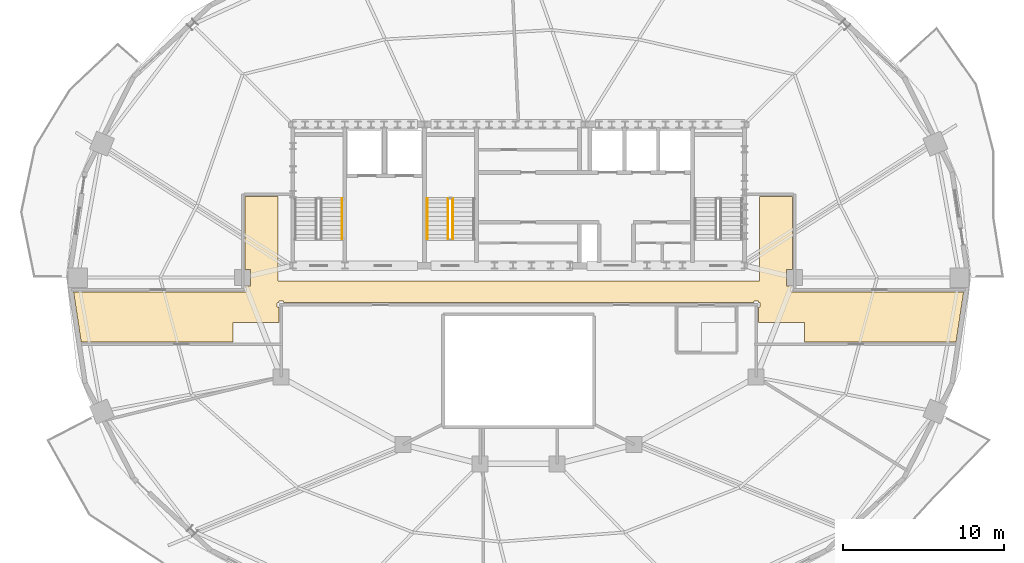
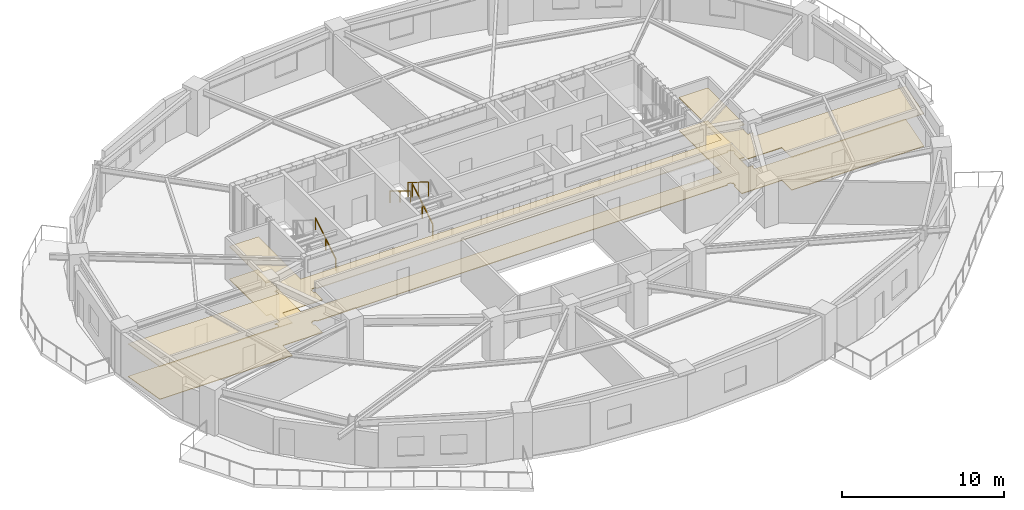
# One storey, part 9 of 11: 4 railings, 2 coverings.
"""IFC4 building model written with IfcOpenShell, lengths in metres."""

from ifc_helpers import new_model, si_unit, direction, frame, origin, origin_2d, place, context, subcontext, project, spatial, polyline, rectangle, outline, extrude, material, layer, layer_set, type_object, element, save


model = new_model("IFC4")

# Units and contexts
model_context = context("Model", 3, precision=1e-05, world=origin(), true_north=direction((0.0, 1.0)))
body_context = subcontext(model_context, "Body", "Model", "MODEL_VIEW")
ifc_project = project(units=[si_unit("LENGTHUNIT", "METRE"), si_unit("AREAUNIT", "SQUARE_METRE"), si_unit("VOLUMEUNIT", "CUBIC_METRE"), si_unit("PLANEANGLEUNIT", "RADIAN"), si_unit("MASSUNIT", "GRAM", prefix="KILO")], contexts=[model_context])

# Site, building, storey
site_placement = place(None, origin())
site = spatial("IfcSite", under=ifc_project, at=site_placement, CompositionType="ELEMENT")
building_placement = place(site_placement, origin())
building = spatial("IfcBuilding", under=site, at=building_placement, Name="Haldorwick Loom Tower", CompositionType="ELEMENT")
storey_placement = place(building_placement, frame((0.0, 0.0, 215.199951171875)))
storey = spatial("IfcBuildingStorey", under=building, at=storey_placement, Name="L58", CompositionType="ELEMENT", Elevation=215.199951171875)

# Coverings
ifc_material_1 = material(Name="Mineral Fibre Acoustic Ceiling Tile")
ifc_layer_1 = layer(ifc_material_1, 0.054931640625, Name="Mineral Fibre Acoustic Ceiling Tile")
ifc_layer_set_1 = layer_set([ifc_layer_1], Name="Mineral Fibre Acoustic Ceiling Tile")
covering_type_1 = type_object("IfcCoveringType", Name="ARC-COV-CEIL2", PredefinedType="CEILING", material=ifc_layer_set_1)
covering_1_placement = place(storey_placement, frame((0.0, 0.0, 2.458984375)))
element("IfcCovering", 1, at=covering_1_placement, inside=storey, type_object=covering_type_1, Name="L58 Acoustic Suspended Ceiling 1", PredefinedType="CEILING", context=body_context, shape_type="SweptSolid", body=[
    extrude(outline(polyline([(8.750732421875, 21.989990234375), (18.199951171875, 21.989990234375), (18.199951171875, 23.199951171875), (21.06005859375, 23.199951171875), (21.06005859375, 24.159912109375), (20.97998046875, 24.159912109375), (20.97802734375, 24.16015625), (20.97607421875, 24.160400390625), (20.97412109375, 24.160888671875), (20.972412109375, 24.16162109375), (20.970703125, 24.162353515625), (20.968994140625, 24.163330078125), (20.96728515625, 24.16455078125), (20.9658203125, 24.166015625), (20.964599609375, 24.167236328125), (20.96337890625, 24.1689453125), (20.96240234375, 24.170654296875), (20.96142578125, 24.17236328125), (20.9609375, 24.17431640625), (20.96044921875, 24.176025390625), (20.960205078125, 24.177978515625), (20.9599609375, 24.179931640625), (20.9599609375, 24.419921875), (20.960205078125, 24.422119140625), (20.96044921875, 24.423828125), (20.9609375, 24.42578125), (20.96142578125, 24.427734375), (20.96240234375, 24.429443359375), (20.96337890625, 24.43115234375), (20.964599609375, 24.4326171875), (20.9658203125, 24.43408203125), (20.96728515625, 24.435546875), (20.968994140625, 24.4365234375), (20.970703125, 24.4375), (20.972412109375, 24.4384765625), (20.97412109375, 24.439208984375), (20.97607421875, 24.439697265625), (20.97802734375, 24.43994140625), (20.97998046875, 24.43994140625), (21.06005859375, 24.43994140625), (21.06005859375, 24.52001953125), (21.06005859375, 24.52197265625), (21.060302734375, 24.52392578125), (21.060791015625, 24.52587890625), (21.0615234375, 24.527587890625), (21.0625, 24.529296875), (21.0634765625, 24.531005859375), (21.064453125, 24.53271484375), (21.06591796875, 24.5341796875), (21.0673828125, 24.535400390625), (21.06884765625, 24.53662109375), (21.070556640625, 24.53759765625), (21.072265625, 24.53857421875), (21.07421875, 24.5390625), (21.076171875, 24.53955078125), (21.077880859375, 24.539794921875), (21.080078125, 24.5400390625), (21.320068359375, 24.5400390625), (21.322021484375, 24.539794921875), (21.323974609375, 24.53955078125), (21.32568359375, 24.5390625), (21.32763671875, 24.53857421875), (21.329345703125, 24.53759765625), (21.3310546875, 24.53662109375), (21.332763671875, 24.535400390625), (21.333984375, 24.5341796875), (21.33544921875, 24.53271484375), (21.336669921875, 24.531005859375), (21.337646484375, 24.529296875), (21.33837890625, 24.527587890625), (21.339111328125, 24.52587890625), (21.339599609375, 24.52392578125), (21.33984375, 24.52197265625), (21.340087890625, 24.52001953125), (21.340087890625, 24.43994140625), (50.659912109375, 24.43994140625), (50.659912109375, 24.52001953125), (50.66015625, 24.52197265625), (50.660400390625, 24.52392578125), (50.660888671875, 24.52587890625), (50.66162109375, 24.527587890625), (50.662353515625, 24.529296875), (50.663330078125, 24.531005859375), (50.66455078125, 24.53271484375), (50.666015625, 24.5341796875), (50.667236328125, 24.535400390625), (50.6689453125, 24.53662109375), (50.670654296875, 24.53759765625), (50.67236328125, 24.53857421875), (50.67431640625, 24.5390625), (50.676025390625, 24.53955078125), (50.677978515625, 24.539794921875), (50.679931640625, 24.5400390625), (50.919921875, 24.5400390625), (50.922119140625, 24.539794921875), (50.923828125, 24.53955078125), (50.92578125, 24.5390625), (50.927734375, 24.53857421875), (50.929443359375, 24.53759765625), (50.93115234375, 24.53662109375), (50.9326171875, 24.535400390625), (50.93408203125, 24.5341796875), (50.935546875, 24.53271484375), (50.9365234375, 24.531005859375), (50.9375, 24.529296875), (50.9384765625, 24.527587890625), (50.939208984375, 24.52587890625), (50.939697265625, 24.52392578125), (50.93994140625, 24.52197265625), (50.93994140625, 24.52001953125), (50.93994140625, 24.43994140625), (51.02001953125, 24.43994140625), (51.02197265625, 24.43994140625), (51.02392578125, 24.439697265625), (51.02587890625, 24.439208984375), (51.027587890625, 24.4384765625), (51.029296875, 24.4375), (51.031005859375, 24.4365234375), (51.03271484375, 24.435546875), (51.0341796875, 24.43408203125), (51.035400390625, 24.4326171875), (51.03662109375, 24.43115234375), (51.03759765625, 24.429443359375), (51.03857421875, 24.427734375), (51.0390625, 24.42578125), (51.03955078125, 24.423828125), (51.039794921875, 24.422119140625), (51.0400390625, 24.419921875), (51.0400390625, 24.179931640625), (51.039794921875, 24.177978515625), (51.03955078125, 24.176025390625), (51.0390625, 24.17431640625), (51.03857421875, 24.17236328125), (51.03759765625, 24.170654296875), (51.03662109375, 24.1689453125), (51.035400390625, 24.167236328125), (51.0341796875, 24.166015625), (51.03271484375, 24.16455078125), (51.031005859375, 24.163330078125), (51.029296875, 24.162353515625), (51.027587890625, 24.16162109375), (51.02587890625, 24.160888671875), (51.02392578125, 24.160400390625), (51.02197265625, 24.16015625), (51.02001953125, 24.159912109375), (50.93994140625, 24.159912109375), (50.93994140625, 23.199951171875), (53.800048828125, 23.199951171875), (53.800048828125, 21.989990234375), (63.249267578125, 21.989990234375), (63.72412109375, 25.110107421875), (52.97998046875, 25.110107421875), (52.97802734375, 25.110107421875), (52.97607421875, 25.1103515625), (52.97412109375, 25.11083984375), (52.972412109375, 25.111572265625), (52.970703125, 25.1123046875), (52.968994140625, 25.11328125), (52.96728515625, 25.114501953125), (52.9658203125, 25.115966796875), (52.964599609375, 25.1171875), (52.96337890625, 25.118896484375), (52.96240234375, 25.12060546875), (52.96142578125, 25.122314453125), (52.9609375, 25.124267578125), (52.96044921875, 25.126220703125), (52.960205078125, 25.1279296875), (52.9599609375, 25.1298828125), (52.9599609375, 25.3701171875), (52.960205078125, 25.3720703125), (52.96044921875, 25.373779296875), (52.9609375, 25.375732421875), (52.96142578125, 25.377685546875), (52.96240234375, 25.37939453125), (52.96337890625, 25.381103515625), (52.964599609375, 25.3828125), (52.9658203125, 25.384033203125), (52.96728515625, 25.385498046875), (52.968994140625, 25.38671875), (52.970703125, 25.3876953125), (52.972412109375, 25.388427734375), (52.97412109375, 25.38916015625), (52.97607421875, 25.3896484375), (52.97802734375, 25.389892578125), (52.97998046875, 25.389892578125), (53.06005859375, 25.389892578125), (53.06005859375, 25.491943359375), (52.69189453125, 25.491943359375), (52.69189453125, 26.508056640625), (53.06005859375, 26.508056640625), (53.06005859375, 31.06005859375), (51.0, 31.06005859375), (51.0, 25.800048828125), (21.0, 25.800048828125), (21.0, 31.06005859375), (18.93994140625, 31.06005859375), (18.93994140625, 26.508056640625), (19.30810546875, 26.508056640625), (19.30810546875, 25.491943359375), (18.93994140625, 25.491943359375), (18.93994140625, 25.389892578125), (19.02001953125, 25.389892578125), (19.02197265625, 25.389892578125), (19.02392578125, 25.3896484375), (19.02587890625, 25.38916015625), (19.027587890625, 25.388427734375), (19.029296875, 25.3876953125), (19.031005859375, 25.38671875), (19.03271484375, 25.385498046875), (19.0341796875, 25.384033203125), (19.035400390625, 25.3828125), (19.03662109375, 25.381103515625), (19.03759765625, 25.37939453125), (19.03857421875, 25.377685546875), (19.0390625, 25.375732421875), (19.03955078125, 25.373779296875), (19.039794921875, 25.3720703125), (19.0400390625, 25.3701171875), (19.0400390625, 25.1298828125), (19.039794921875, 25.1279296875), (19.03955078125, 25.126220703125), (19.0390625, 25.124267578125), (19.03857421875, 25.122314453125), (19.03759765625, 25.12060546875), (19.03662109375, 25.118896484375), (19.035400390625, 25.1171875), (19.0341796875, 25.115966796875), (19.03271484375, 25.114501953125), (19.031005859375, 25.11328125), (19.029296875, 25.1123046875), (19.027587890625, 25.111572265625), (19.02587890625, 25.11083984375), (19.02392578125, 25.1103515625), (19.02197265625, 25.110107421875), (19.02001953125, 25.110107421875), (8.27587890625, 25.110107421875), (8.750732421875, 21.989990234375)])), origin(), (0.0, 0.0, 1.0), 0.05517578125),
])
ifc_material_2 = material(Name="Polished Aggregate Terrazzo Finish")
ifc_layer_2 = layer(ifc_material_2, 0.044921875, Name="Polished Aggregate Terrazzo Finish")
ifc_layer_set_2 = layer_set([ifc_layer_2], Name="Polished Aggregate Terrazzo Finish")
covering_type_2 = type_object("IfcCoveringType", Name="ARC-COV-FLOOR2", PredefinedType="FLOORING", material=ifc_layer_set_2)
covering_2_placement = place(storey_placement, origin())
element("IfcCovering", 2, at=covering_2_placement, inside=storey, type_object=covering_type_2, Name="L58 Floor Finish 1", PredefinedType="FLOORING", context=body_context, shape_type="SweptSolid", body=[
    extrude(outline(polyline([(8.750732421875, 21.989990234375), (18.199951171875, 21.989990234375), (18.199951171875, 23.199951171875), (21.06005859375, 23.199951171875), (21.06005859375, 24.159912109375), (20.97998046875, 24.159912109375), (20.97802734375, 24.16015625), (20.97607421875, 24.160400390625), (20.97412109375, 24.160888671875), (20.972412109375, 24.16162109375), (20.970703125, 24.162353515625), (20.968994140625, 24.163330078125), (20.96728515625, 24.16455078125), (20.9658203125, 24.166015625), (20.964599609375, 24.167236328125), (20.96337890625, 24.1689453125), (20.96240234375, 24.170654296875), (20.96142578125, 24.17236328125), (20.9609375, 24.17431640625), (20.96044921875, 24.176025390625), (20.960205078125, 24.177978515625), (20.9599609375, 24.179931640625), (20.9599609375, 24.419921875), (20.960205078125, 24.422119140625), (20.96044921875, 24.423828125), (20.9609375, 24.42578125), (20.96142578125, 24.427734375), (20.96240234375, 24.429443359375), (20.96337890625, 24.43115234375), (20.964599609375, 24.4326171875), (20.9658203125, 24.43408203125), (20.96728515625, 24.435546875), (20.968994140625, 24.4365234375), (20.970703125, 24.4375), (20.972412109375, 24.4384765625), (20.97412109375, 24.439208984375), (20.97607421875, 24.439697265625), (20.97802734375, 24.43994140625), (20.97998046875, 24.43994140625), (21.06005859375, 24.43994140625), (21.06005859375, 24.52001953125), (21.06005859375, 24.52197265625), (21.060302734375, 24.52392578125), (21.060791015625, 24.52587890625), (21.0615234375, 24.527587890625), (21.0625, 24.529296875), (21.0634765625, 24.531005859375), (21.064453125, 24.53271484375), (21.06591796875, 24.5341796875), (21.0673828125, 24.535400390625), (21.06884765625, 24.53662109375), (21.070556640625, 24.53759765625), (21.072265625, 24.53857421875), (21.07421875, 24.5390625), (21.076171875, 24.53955078125), (21.077880859375, 24.539794921875), (21.080078125, 24.5400390625), (21.320068359375, 24.5400390625), (21.322021484375, 24.539794921875), (21.323974609375, 24.53955078125), (21.32568359375, 24.5390625), (21.32763671875, 24.53857421875), (21.329345703125, 24.53759765625), (21.3310546875, 24.53662109375), (21.332763671875, 24.535400390625), (21.333984375, 24.5341796875), (21.33544921875, 24.53271484375), (21.336669921875, 24.531005859375), (21.337646484375, 24.529296875), (21.33837890625, 24.527587890625), (21.339111328125, 24.52587890625), (21.339599609375, 24.52392578125), (21.33984375, 24.52197265625), (21.340087890625, 24.52001953125), (21.340087890625, 24.43994140625), (50.659912109375, 24.43994140625), (50.659912109375, 24.52001953125), (50.66015625, 24.52197265625), (50.660400390625, 24.52392578125), (50.660888671875, 24.52587890625), (50.66162109375, 24.527587890625), (50.662353515625, 24.529296875), (50.663330078125, 24.531005859375), (50.66455078125, 24.53271484375), (50.666015625, 24.5341796875), (50.667236328125, 24.535400390625), (50.6689453125, 24.53662109375), (50.670654296875, 24.53759765625), (50.67236328125, 24.53857421875), (50.67431640625, 24.5390625), (50.676025390625, 24.53955078125), (50.677978515625, 24.539794921875), (50.679931640625, 24.5400390625), (50.919921875, 24.5400390625), (50.922119140625, 24.539794921875), (50.923828125, 24.53955078125), (50.92578125, 24.5390625), (50.927734375, 24.53857421875), (50.929443359375, 24.53759765625), (50.93115234375, 24.53662109375), (50.9326171875, 24.535400390625), (50.93408203125, 24.5341796875), (50.935546875, 24.53271484375), (50.9365234375, 24.531005859375), (50.9375, 24.529296875), (50.9384765625, 24.527587890625), (50.939208984375, 24.52587890625), (50.939697265625, 24.52392578125), (50.93994140625, 24.52197265625), (50.93994140625, 24.52001953125), (50.93994140625, 24.43994140625), (51.02001953125, 24.43994140625), (51.02197265625, 24.43994140625), (51.02392578125, 24.439697265625), (51.02587890625, 24.439208984375), (51.027587890625, 24.4384765625), (51.029296875, 24.4375), (51.031005859375, 24.4365234375), (51.03271484375, 24.435546875), (51.0341796875, 24.43408203125), (51.035400390625, 24.4326171875), (51.03662109375, 24.43115234375), (51.03759765625, 24.429443359375), (51.03857421875, 24.427734375), (51.0390625, 24.42578125), (51.03955078125, 24.423828125), (51.039794921875, 24.422119140625), (51.0400390625, 24.419921875), (51.0400390625, 24.179931640625), (51.039794921875, 24.177978515625), (51.03955078125, 24.176025390625), (51.0390625, 24.17431640625), (51.03857421875, 24.17236328125), (51.03759765625, 24.170654296875), (51.03662109375, 24.1689453125), (51.035400390625, 24.167236328125), (51.0341796875, 24.166015625), (51.03271484375, 24.16455078125), (51.031005859375, 24.163330078125), (51.029296875, 24.162353515625), (51.027587890625, 24.16162109375), (51.02587890625, 24.160888671875), (51.02392578125, 24.160400390625), (51.02197265625, 24.16015625), (51.02001953125, 24.159912109375), (50.93994140625, 24.159912109375), (50.93994140625, 23.199951171875), (53.800048828125, 23.199951171875), (53.800048828125, 21.989990234375), (63.249267578125, 21.989990234375), (63.72412109375, 25.110107421875), (52.97998046875, 25.110107421875), (52.97802734375, 25.110107421875), (52.97607421875, 25.1103515625), (52.97412109375, 25.11083984375), (52.972412109375, 25.111572265625), (52.970703125, 25.1123046875), (52.968994140625, 25.11328125), (52.96728515625, 25.114501953125), (52.9658203125, 25.115966796875), (52.964599609375, 25.1171875), (52.96337890625, 25.118896484375), (52.96240234375, 25.12060546875), (52.96142578125, 25.122314453125), (52.9609375, 25.124267578125), (52.96044921875, 25.126220703125), (52.960205078125, 25.1279296875), (52.9599609375, 25.1298828125), (52.9599609375, 25.3701171875), (52.960205078125, 25.3720703125), (52.96044921875, 25.373779296875), (52.9609375, 25.375732421875), (52.96142578125, 25.377685546875), (52.96240234375, 25.37939453125), (52.96337890625, 25.381103515625), (52.964599609375, 25.3828125), (52.9658203125, 25.384033203125), (52.96728515625, 25.385498046875), (52.968994140625, 25.38671875), (52.970703125, 25.3876953125), (52.972412109375, 25.388427734375), (52.97412109375, 25.38916015625), (52.97607421875, 25.3896484375), (52.97802734375, 25.389892578125), (52.97998046875, 25.389892578125), (53.06005859375, 25.389892578125), (53.06005859375, 25.491943359375), (52.69189453125, 25.491943359375), (52.69189453125, 26.508056640625), (53.06005859375, 26.508056640625), (53.06005859375, 31.06005859375), (51.0, 31.06005859375), (51.0, 25.800048828125), (21.0, 25.800048828125), (21.0, 31.06005859375), (18.93994140625, 31.06005859375), (18.93994140625, 26.508056640625), (19.30810546875, 26.508056640625), (19.30810546875, 25.491943359375), (18.93994140625, 25.491943359375), (18.93994140625, 25.389892578125), (19.02001953125, 25.389892578125), (19.02197265625, 25.389892578125), (19.02392578125, 25.3896484375), (19.02587890625, 25.38916015625), (19.027587890625, 25.388427734375), (19.029296875, 25.3876953125), (19.031005859375, 25.38671875), (19.03271484375, 25.385498046875), (19.0341796875, 25.384033203125), (19.035400390625, 25.3828125), (19.03662109375, 25.381103515625), (19.03759765625, 25.37939453125), (19.03857421875, 25.377685546875), (19.0390625, 25.375732421875), (19.03955078125, 25.373779296875), (19.039794921875, 25.3720703125), (19.0400390625, 25.3701171875), (19.0400390625, 25.1298828125), (19.039794921875, 25.1279296875), (19.03955078125, 25.126220703125), (19.0390625, 25.124267578125), (19.03857421875, 25.122314453125), (19.03759765625, 25.12060546875), (19.03662109375, 25.118896484375), (19.035400390625, 25.1171875), (19.0341796875, 25.115966796875), (19.03271484375, 25.114501953125), (19.031005859375, 25.11328125), (19.029296875, 25.1123046875), (19.027587890625, 25.111572265625), (19.02587890625, 25.11083984375), (19.02392578125, 25.1103515625), (19.02197265625, 25.110107421875), (19.02001953125, 25.110107421875), (8.27587890625, 25.110107421875), (8.750732421875, 21.989990234375)])), origin(), (0.0, 0.0, 1.0), 0.045166015625),
])

# Railings
ifc_material_3 = material(Name="Steel CSA G40.21 350W", Category="steel")
railing_type_1 = type_object("IfcRailingType", Name="ARC-RLG-GUARD112", PredefinedType="GUARDRAIL", material=ifc_material_3)
railing_1_placement = place(storey_placement, frame((31.89990234375, 28.39990234375, 0.172607421875)))
element("IfcRailing", 3, at=railing_1_placement, inside=storey, type_object=railing_type_1, Name="L58 ST-03 stair guard 1", PredefinedType="GUARDRAIL", context=body_context, shape_type="SweptSolid", body=[
    extrude(rectangle(XDim=0.048095703125, YDim=0.048095703125, at=origin_2d()), frame((0.0, 0.0, 1.076171875), z_axis=(0.0, 0.851400495292, 0.524516154772), x_axis=(-1.0, 0.0, 0.0)), (0.0, 0.0, 1.0), 2.9599609375),
    extrude(rectangle(XDim=0.0419921875, YDim=0.0419921875, at=origin_2d()), origin(), (0.0, 0.0, 1.0), 1.052001953125),
    extrude(rectangle(XDim=0.0419921875, YDim=0.0419921875, at=origin_2d()), frame((0.0, 1.260009765625, 0.7763671875)), (0.0, 0.0, 1.0), 1.052001953125),
    extrude(rectangle(XDim=0.0419921875, YDim=0.0419921875, at=origin_2d()), frame((0.0, 2.52001953125, 1.552490234375)), (0.0, 0.0, 1.0), 1.052001953125),
])
railing_2_placement = place(storey_placement, frame((31.60009765625, 30.919921875, 1.8974609375)))
element("IfcRailing", 4, at=railing_2_placement, inside=storey, type_object=railing_type_1, Name="L58 ST-03 stair guard 3", PredefinedType="GUARDRAIL", context=body_context, shape_type="SweptSolid", body=[
    extrude(rectangle(XDim=0.048095703125, YDim=0.048095703125, at=origin_2d()), frame((0.0, 0.0, 1.076171875), z_axis=(0.0, -0.851400495292, 0.524516154772), x_axis=(1.0, 0.0, 0.0)), (0.0, 0.0, 1.0), 2.9599609375),
    extrude(rectangle(XDim=0.0419921875, YDim=0.0419921875, at=origin_2d()), origin(), (0.0, 0.0, 1.0), 1.052001953125),
    extrude(rectangle(XDim=0.0419921875, YDim=0.0419921875, at=origin_2d()), frame((0.0, -1.260009765625, 0.7763671875)), (0.0, 0.0, 1.0), 1.052001953125),
    extrude(rectangle(XDim=0.0419921875, YDim=0.0419921875, at=origin_2d()), frame((0.0, -2.52001953125, 1.552490234375)), (0.0, 0.0, 1.0), 1.052001953125),
])
railing_type_2 = type_object("IfcRailingType", Name="ARC-RLG-HAND092", PredefinedType="HANDRAIL", material=ifc_material_3)
railing_3_placement = place(storey_placement, frame((25.0, 28.39990234375, 0.172607421875)))
element("IfcRailing", 5, at=railing_3_placement, inside=storey, type_object=railing_type_2, Name="L58 ST-01 stair handrail 1", PredefinedType="HANDRAIL", context=body_context, shape_type="SweptSolid", body=[
    extrude(rectangle(XDim=0.048095703125, YDim=0.048095703125, at=origin_2d()), frame((0.0, 0.0, 0.8759765625), z_axis=(0.0, 0.851400495292, 0.524516154772), x_axis=(-1.0, 0.0, 0.0)), (0.0, 0.0, 1.0), 2.9599609375),
    extrude(rectangle(XDim=0.0419921875, YDim=0.0419921875, at=origin_2d()), origin(), (0.0, 0.0, 1.0), 0.851806640625),
    extrude(rectangle(XDim=0.0419921875, YDim=0.0419921875, at=origin_2d()), frame((0.0, 1.260009765625, 0.7763671875)), (0.0, 0.0, 1.0), 0.851806640625),
    extrude(rectangle(XDim=0.0419921875, YDim=0.0419921875, at=origin_2d()), frame((0.0, 2.52001953125, 1.552490234375)), (0.0, 0.0, 1.0), 0.851806640625),
])
railing_4_placement = place(storey_placement, frame((30.300048828125, 30.919921875, 1.8974609375)))
element("IfcRailing", 6, at=railing_4_placement, inside=storey, type_object=railing_type_2, Name="L58 ST-03 stair handrail 2", PredefinedType="HANDRAIL", context=body_context, shape_type="SweptSolid", body=[
    extrude(rectangle(XDim=0.048095703125, YDim=0.048095703125, at=origin_2d()), frame((0.0, 0.0, 0.8759765625), z_axis=(0.0, -0.851400495292, 0.524516154772), x_axis=(1.0, 0.0, 0.0)), (0.0, 0.0, 1.0), 2.9599609375),
    extrude(rectangle(XDim=0.0419921875, YDim=0.0419921875, at=origin_2d()), origin(), (0.0, 0.0, 1.0), 0.851806640625),
    extrude(rectangle(XDim=0.0419921875, YDim=0.0419921875, at=origin_2d()), frame((0.0, -1.260009765625, 0.7763671875)), (0.0, 0.0, 1.0), 0.851806640625),
    extrude(rectangle(XDim=0.0419921875, YDim=0.0419921875, at=origin_2d()), frame((0.0, -2.52001953125, 1.552490234375)), (0.0, 0.0, 1.0), 0.851806640625),
])

save(model, "model.ifc")
